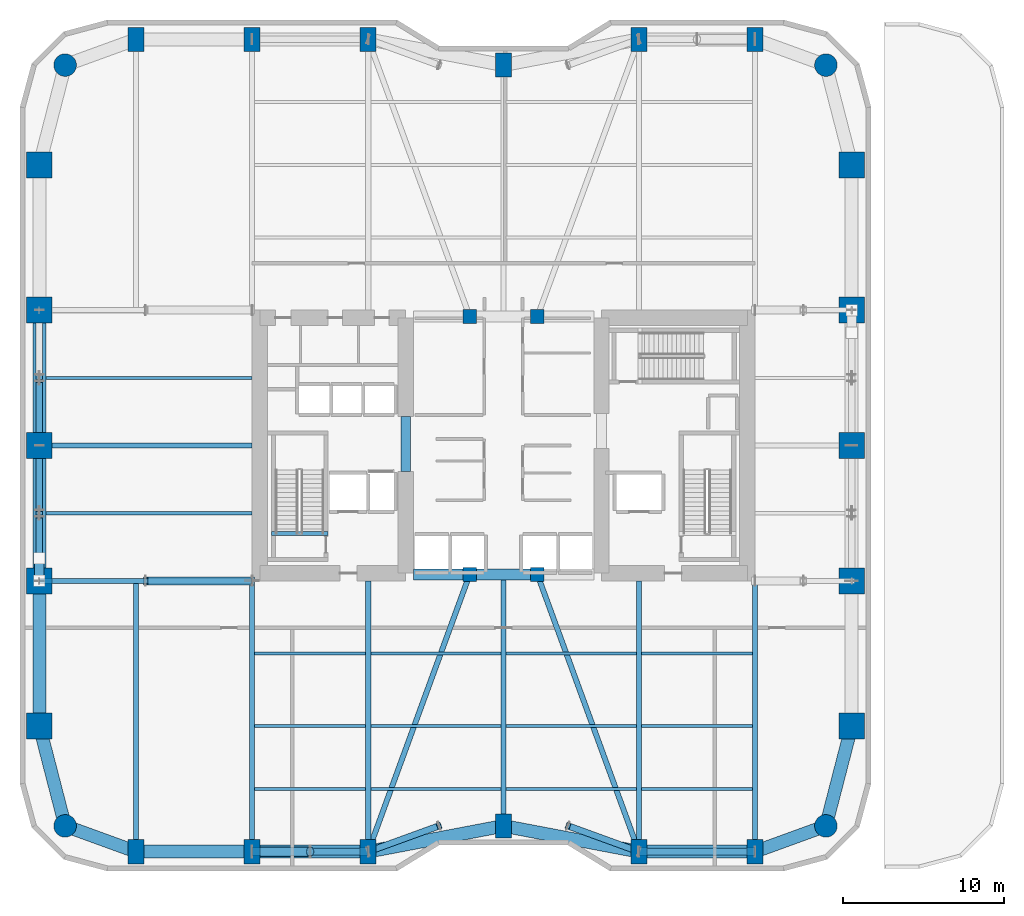
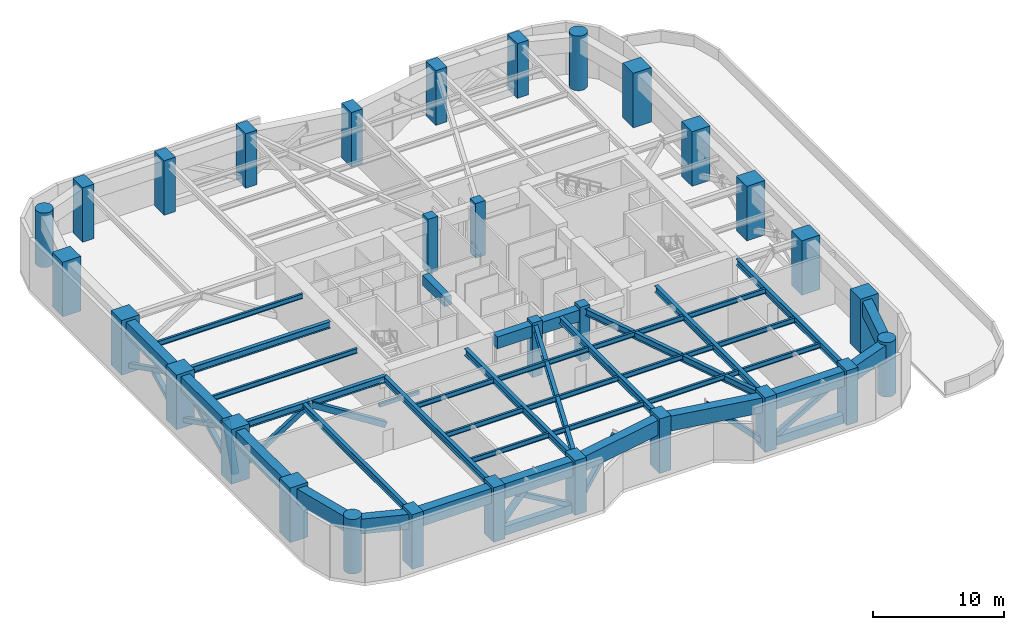
# One storey, part 1 of 16: 40 beams, 30 columns, 15 members.
"""IFC4 building model written with IfcOpenShell, lengths in metres."""

from ifc_helpers import new_model, si_unit, direction, frame, origin, origin_2d, place, context, subcontext, project, spatial, rectangle, hollow_rectangle, circle, hollow_circle, i_section, extrude, material, material_profile, profile_set, type_object, element, save


model = new_model("IFC4")

# Units and contexts
model_context = context("Model", 3, precision=1e-05, world=origin(), true_north=direction((0.0, 1.0)))
body_context = subcontext(model_context, "Body", "Model", "MODEL_VIEW")
ifc_project = project(units=[si_unit("LENGTHUNIT", "METRE"), si_unit("AREAUNIT", "SQUARE_METRE"), si_unit("VOLUMEUNIT", "CUBIC_METRE"), si_unit("PLANEANGLEUNIT", "RADIAN"), si_unit("MASSUNIT", "GRAM", prefix="KILO")], contexts=[model_context])

# Site, building, storey
site_placement = place(None, origin())
site = spatial("IfcSite", under=ifc_project, at=site_placement, CompositionType="ELEMENT")
building_placement = place(site_placement, origin())
building = spatial("IfcBuilding", under=site, at=building_placement, Name="Kiyonajd Concourse Tower", CompositionType="ELEMENT")
storey_placement = place(building_placement, frame((0.0, 0.0, 80.699951171875)))
storey = spatial("IfcBuildingStorey", under=building, at=storey_placement, Name="L21", CompositionType="ELEMENT", Elevation=80.699951171875)

# Columns
ifc_material_1 = material(Name="Concrete C80/95", Category="concrete")
ifc_material_profile_1 = material_profile(ifc_material_1, rectangle(XDim=1.0, YDim=1.5, at=origin_2d()), Name="RC-1500x1000")
ifc_profile_set_1 = profile_set([ifc_material_profile_1], Name="Concrete C80/95")
column_type_1 = type_object("IfcColumnType", Name="CL-BLADE-1500", PredefinedType="COLUMN", material=ifc_profile_set_1)
for number, where, z_axis, x_axis, name in (
    (1, (25.199951171875, 10.800048828125, 0.0), (0.0, 0.0, 1.0), (1.0, 0.0, 0.0), "L21 Perimeter Bundled Tube Column"),
    (2, (25.199951171875, 61.199951171875, 0.0), (0.0, 0.0, 1.0), (1.0, 0.0, 0.0), "L21 Perimeter Bundled Tube Column"),
    (3, (32.39990234375, 10.800048828125, 0.0), (0.0, 0.0, 1.0), (1.0, 0.0, 0.0), "L21 Perimeter Bundled Tube Column"),
    (4, (32.39990234375, 61.199951171875, 0.0), (0.0, 0.0, 1.0), (1.0, 0.0, 0.0), "L21 Perimeter Bundled Tube Column"),
    (5, (39.60009765625, 10.800048828125, 0.0), (0.0, 0.0, 1.0), (1.0, 0.0, 0.0), "L21 Perimeter Bundled Tube Column"),
    (6, (39.60009765625, 61.199951171875, 0.0), (0.0, 0.0, 1.0), (1.0, 0.0, 0.0), "L21 Perimeter Bundled Tube Column"),
    (7, (48.0, 12.39990234375, 0.0), (0.0, 0.0, 1.0), (1.0, 0.0, 0.0), "L21 Perimeter Bundled Tube Column"),
    (8, (48.0, 59.60009765625, 0.0), (0.0, 0.0, 1.0), (1.0, 0.0, 0.0), "L21 Perimeter Bundled Tube Column"),
    (9, (56.39990234375, 10.800048828125, 0.0), (0.0, 0.0, 1.0), (1.0, 0.0, 0.0), "L21 Perimeter Bundled Tube Column"),
    (10, (56.39990234375, 61.199951171875, 0.0), (0.0, 0.0, 1.0), (1.0, 0.0, 0.0), "L21 Perimeter Bundled Tube Column"),
    (11, (63.60009765625, 10.800048828125, 0.0), (0.0, 0.0, 1.0), (1.0, 0.0, 0.0), "L21 Perimeter Bundled Tube Column"),
    (12, (63.60009765625, 61.199951171875, 0.0), (0.0, 0.0, 1.0), (1.0, 0.0, 0.0), "L21 Perimeter Bundled Tube Column"),
):
    element("IfcColumn", number, at=place(storey_placement, frame(where, z_axis=z_axis, x_axis=x_axis)), inside=storey, type_object=column_type_1, Name=name, PredefinedType="COLUMN", context=body_context, shape_type="SweptSolid", body=[
        extrude(rectangle(XDim=1.0, YDim=1.5, at=origin_2d()), origin(), (0.0, 0.0, 1.0), 5.10009765625),
    ])
ifc_material_profile_2 = material_profile(ifc_material_1, circle(Radius=0.699951171875, at=origin_2d()), Name="RCC-D1400")
ifc_profile_set_2 = profile_set([ifc_material_profile_2], Name="Concrete C80/95")
column_type_2 = type_object("IfcColumnType", Name="CL-RND-1400", PredefinedType="COLUMN", material=ifc_profile_set_2)
for number, where, z_axis, x_axis, name in (
    (13, (20.800048828125, 12.39990234375, 0.0), (0.0, 0.0, 1.0), (1.0, 0.0, 0.0), "L21 Bundled Tube Corner Column South West"),
    (14, (68.0, 12.39990234375, 0.0), (0.0, 0.0, 1.0), (1.0, 0.0, 0.0), "L21 Bundled Tube Corner Column South East"),
    (15, (68.0, 59.60009765625, 0.0), (0.0, 0.0, 1.0), (1.0, 0.0, 0.0), "L21 Bundled Tube Corner Column North East"),
    (16, (20.800048828125, 59.60009765625, 0.0), (0.0, 0.0, 1.0), (1.0, 0.0, 0.0), "L21 Bundled Tube Corner Column North West"),
):
    element("IfcColumn", number, at=place(storey_placement, frame(where, z_axis=z_axis, x_axis=x_axis)), inside=storey, type_object=column_type_2, Name=name, PredefinedType="COLUMN", context=body_context, shape_type="SweptSolid", body=[
        extrude(circle(Radius=0.699951171875, at=origin_2d()), origin(), (0.0, 0.0, 1.0), 5.10009765625),
    ])
ifc_material_profile_3 = material_profile(ifc_material_1, rectangle(XDim=1.60009765625, YDim=1.60009765625, at=origin_2d()), Name="RC-1600x1600")
ifc_profile_set_3 = profile_set([ifc_material_profile_3], Name="Concrete C80/95")
column_type_3 = type_object("IfcColumnType", Name="CL-TUBE-1600", PredefinedType="COLUMN", material=ifc_profile_set_3)
for number, where, z_axis, x_axis, name in (
    (17, (19.199951171875, 18.60009765625, 0.0), (0.0, 0.0, 1.0), (1.0, 0.0, 0.0), "L21 Perimeter Bundled Tube Column"),
    (18, (69.60009765625, 18.60009765625, 0.0), (0.0, 0.0, 1.0), (1.0, 0.0, 0.0), "L21 Perimeter Bundled Tube Column"),
    (19, (19.199951171875, 27.60009765625, 0.0), (0.0, 0.0, 1.0), (1.0, 0.0, 0.0), "L21 Perimeter Bundled Tube Column"),
    (20, (69.60009765625, 27.60009765625, 0.0), (0.0, 0.0, 1.0), (1.0, 0.0, 0.0), "L21 Perimeter Bundled Tube Column"),
    (21, (19.199951171875, 36.0, 0.0), (0.0, 0.0, 1.0), (1.0, 0.0, 0.0), "L21 Perimeter Bundled Tube Column"),
    (22, (69.60009765625, 36.0, 0.0), (0.0, 0.0, 1.0), (1.0, 0.0, 0.0), "L21 Perimeter Bundled Tube Column"),
    (23, (19.199951171875, 44.39990234375, 0.0), (0.0, 0.0, 1.0), (1.0, 0.0, 0.0), "L21 Perimeter Bundled Tube Column"),
    (24, (69.60009765625, 44.39990234375, 0.0), (0.0, 0.0, 1.0), (1.0, 0.0, 0.0), "L21 Perimeter Bundled Tube Column"),
    (25, (19.199951171875, 53.39990234375, 0.0), (0.0, 0.0, 1.0), (1.0, 0.0, 0.0), "L21 Perimeter Bundled Tube Column"),
    (26, (69.60009765625, 53.39990234375, 0.0), (0.0, 0.0, 1.0), (1.0, 0.0, 0.0), "L21 Perimeter Bundled Tube Column"),
):
    element("IfcColumn", number, at=place(storey_placement, frame(where, z_axis=z_axis, x_axis=x_axis)), inside=storey, type_object=column_type_3, Name=name, PredefinedType="COLUMN", context=body_context, shape_type="SweptSolid", body=[
        extrude(rectangle(XDim=1.60009765625, YDim=1.60009765625, at=origin_2d()), origin(), (0.0, 0.0, 1.0), 5.10009765625),
    ])
ifc_material_2 = material(Name="Concrete C60/75", Category="concrete")
ifc_material_profile_4 = material_profile(ifc_material_2, rectangle(XDim=0.85009765625, YDim=0.85009765625, at=origin_2d()), Name="RC-850x850")
ifc_profile_set_4 = profile_set([ifc_material_profile_4], Name="Concrete C60/75")
column_type_4 = type_object("IfcColumnType", Name="CL-TUBE-850", PredefinedType="COLUMN", material=ifc_profile_set_4)
for number, where, z_axis, x_axis, name in (
    (27, (45.89990234375, 28.0, 0.0), (0.0, 0.0, 1.0), (1.0, 0.0, 0.0), "L21 Core Tie Column South West"),
    (28, (50.10009765625, 28.0, 0.0), (0.0, 0.0, 1.0), (1.0, 0.0, 0.0), "L21 Core Tie Column South East"),
    (29, (45.89990234375, 44.0, 0.0), (0.0, 0.0, 1.0), (1.0, 0.0, 0.0), "L21 Core Tie Column North West"),
    (30, (50.10009765625, 44.0, 0.0), (0.0, 0.0, 1.0), (1.0, 0.0, 0.0), "L21 Core Tie Column North East"),
):
    element("IfcColumn", number, at=place(storey_placement, frame(where, z_axis=z_axis, x_axis=x_axis)), inside=storey, type_object=column_type_4, Name=name, PredefinedType="COLUMN", context=body_context, shape_type="SweptSolid", body=[
        extrude(rectangle(XDim=0.85009765625, YDim=0.85009765625, at=origin_2d()), origin(), (0.0, 0.0, 1.0), 5.10009765625),
    ])

# Beams
ifc_material_3 = material(Name="Concrete C70/85", Category="concrete")
ifc_material_profile_5 = material_profile(ifc_material_3, rectangle(XDim=0.699951171875, YDim=1.10009765625, at=origin_2d()), Name="RCBM-700x1100")
ifc_profile_set_5 = profile_set([ifc_material_profile_5], Name="Concrete C70/85")
beam_type_1 = type_object("IfcBeamType", Name="BM-COUP-1100", PredefinedType="LINTEL", material=ifc_profile_set_5)
beam_1_placement = place(storey_placement, frame((42.39990234375, 28.0, 4.2900390625), z_axis=(1.0, 0.0, 0.0), x_axis=(0.0, 1.0, 0.0)))
element("IfcBeam", 31, at=beam_1_placement, inside=storey, type_object=beam_type_1, Name="L21 Core Coupling Beam S1", PredefinedType="LINTEL", context=body_context, shape_type="SweptSolid", body=[
    extrude(rectangle(XDim=0.699951171875, YDim=1.10009765625, at=origin_2d()), origin(), (0.0, 0.0, 1.0), 3.5),
])
beam_2_placement = place(storey_placement, frame((45.89990234375, 28.0, 4.2900390625), z_axis=(1.0, 0.0, 0.0), x_axis=(0.0, 1.0, 0.0)))
element("IfcBeam", 32, at=beam_2_placement, inside=storey, type_object=beam_type_1, Name="L21 Core Coupling Beam S2", PredefinedType="LINTEL", context=body_context, shape_type="SweptSolid", body=[
    extrude(rectangle(XDim=0.699951171875, YDim=1.10009765625, at=origin_2d()), origin(), (0.0, 0.0, 1.0), 4.2001953125),
])
ifc_material_profile_6 = material_profile(ifc_material_2, rectangle(XDim=0.60009765625, YDim=0.89990234375, at=origin_2d()), Name="RCBM-600x900")
ifc_profile_set_6 = profile_set([ifc_material_profile_6], Name="Concrete C60/75")
beam_type_2 = type_object("IfcBeamType", Name="BM-COUP-900", PredefinedType="LINTEL", material=ifc_profile_set_6)
beam_3_placement = place(storey_placement, frame((41.925048828125, 34.39990234375, 4.2900390625), z_axis=(0.0, 1.0, 0.0), x_axis=(-1.0, 0.0, 0.0)))
element("IfcBeam", 33, at=beam_3_placement, inside=storey, type_object=beam_type_2, Name="L21 West Core Throat Coupling Lintel", PredefinedType="LINTEL", context=body_context, shape_type="SweptSolid", body=[
    extrude(rectangle(XDim=0.60009765625, YDim=0.89990234375, at=origin_2d()), origin(), (0.0, 0.0, 1.0), 3.400146484375),
])
ifc_material_4 = material(Name="Steel ASTM A992 Grade 50", Category="steel")
ifc_material_profile_7 = material_profile(ifc_material_4, i_section(OverallWidth=0.19189453125, OverallDepth=0.462890625, WebThickness=0.010498046875, FlangeThickness=0.017578125, at=origin_2d()), Name="W460X89")
ifc_profile_set_7 = profile_set([ifc_material_profile_7], Name="Steel ASTM A992 Grade 50")
beam_type_3 = type_object("IfcBeamType", Name="BM-JST-460B", PredefinedType="JOIST", material=ifc_profile_set_7)
beam_4_placement = place(storey_placement, frame((32.5634765625, 14.699951171875, 4.608642578125), z_axis=(1.0, 0.0, 0.0), x_axis=(0.0, 1.0, 0.0)))
element("IfcBeam", 34, at=beam_4_placement, inside=storey, type_object=beam_type_3, Name="L21 Secondary Floor Joist", PredefinedType="JOIST", context=body_context, shape_type="SweptSolid", body=[
    extrude(i_section(OverallWidth=0.19189453125, OverallDepth=0.462890625, WebThickness=0.010498046875, FlangeThickness=0.017578125, at=origin_2d()), origin(), (0.0, 0.0, 1.0), 6.873046875),
])
for number, where, z_axis, x_axis, name in (
    (35, (39.763427734375, 14.699951171875, 4.608642578125), (1.0, 0.0, 0.0), (0.0, 1.0, 0.0), "L21 Secondary Floor Joist"),
    (36, (48.16357421875, 14.699951171875, 4.608642578125), (1.0, 0.0, 0.0), (0.0, 1.0, 0.0), "L21 Secondary Floor Joist"),
):
    element("IfcBeam", number, at=place(storey_placement, frame(where, z_axis=z_axis, x_axis=x_axis)), inside=storey, type_object=beam_type_3, Name=name, PredefinedType="JOIST", context=body_context, shape_type="SweptSolid", body=[
        extrude(i_section(OverallWidth=0.19189453125, OverallDepth=0.462890625, WebThickness=0.010498046875, FlangeThickness=0.017578125, at=origin_2d()), origin(), (0.0, 0.0, 1.0), 8.072998046875),
    ])
for number, where, z_axis, x_axis, name in (
    (37, (56.5634765625, 14.699951171875, 4.608642578125), (1.0, 0.0, 0.0), (0.0, 1.0, 0.0), "L21 Secondary Floor Joist"),
    (38, (32.5634765625, 18.60009765625, 4.608642578125), (1.0, 0.0, 0.0), (0.0, 1.0, 0.0), "L21 Secondary Floor Joist"),
):
    element("IfcBeam", number, at=place(storey_placement, frame(where, z_axis=z_axis, x_axis=x_axis)), inside=storey, type_object=beam_type_3, Name=name, PredefinedType="JOIST", context=body_context, shape_type="SweptSolid", body=[
        extrude(i_section(OverallWidth=0.19189453125, OverallDepth=0.462890625, WebThickness=0.010498046875, FlangeThickness=0.017578125, at=origin_2d()), origin(), (0.0, 0.0, 1.0), 6.873046875),
    ])
for number, where, z_axis, x_axis, name in (
    (39, (39.763427734375, 18.60009765625, 4.608642578125), (1.0, 0.0, 0.0), (0.0, 1.0, 0.0), "L21 Secondary Floor Joist"),
    (40, (48.16357421875, 18.60009765625, 4.608642578125), (1.0, 0.0, 0.0), (0.0, 1.0, 0.0), "L21 Secondary Floor Joist"),
):
    element("IfcBeam", number, at=place(storey_placement, frame(where, z_axis=z_axis, x_axis=x_axis)), inside=storey, type_object=beam_type_3, Name=name, PredefinedType="JOIST", context=body_context, shape_type="SweptSolid", body=[
        extrude(i_section(OverallWidth=0.19189453125, OverallDepth=0.462890625, WebThickness=0.010498046875, FlangeThickness=0.017578125, at=origin_2d()), origin(), (0.0, 0.0, 1.0), 8.072998046875),
    ])
for number, where, z_axis, x_axis, name in (
    (41, (56.5634765625, 18.60009765625, 4.608642578125), (1.0, 0.0, 0.0), (0.0, 1.0, 0.0), "L21 Secondary Floor Joist"),
    (42, (32.5634765625, 23.10009765625, 4.608642578125), (1.0, 0.0, 0.0), (0.0, 1.0, 0.0), "L21 Secondary Floor Joist"),
):
    element("IfcBeam", number, at=place(storey_placement, frame(where, z_axis=z_axis, x_axis=x_axis)), inside=storey, type_object=beam_type_3, Name=name, PredefinedType="JOIST", context=body_context, shape_type="SweptSolid", body=[
        extrude(i_section(OverallWidth=0.19189453125, OverallDepth=0.462890625, WebThickness=0.010498046875, FlangeThickness=0.017578125, at=origin_2d()), origin(), (0.0, 0.0, 1.0), 6.873046875),
    ])
for number, where, z_axis, x_axis, name in (
    (43, (39.763427734375, 23.10009765625, 4.608642578125), (1.0, 0.0, 0.0), (0.0, 1.0, 0.0), "L21 Secondary Floor Joist"),
    (44, (48.16357421875, 23.10009765625, 4.608642578125), (1.0, 0.0, 0.0), (0.0, 1.0, 0.0), "L21 Secondary Floor Joist"),
):
    element("IfcBeam", number, at=place(storey_placement, frame(where, z_axis=z_axis, x_axis=x_axis)), inside=storey, type_object=beam_type_3, Name=name, PredefinedType="JOIST", context=body_context, shape_type="SweptSolid", body=[
        extrude(i_section(OverallWidth=0.19189453125, OverallDepth=0.462890625, WebThickness=0.010498046875, FlangeThickness=0.017578125, at=origin_2d()), origin(), (0.0, 0.0, 1.0), 8.072998046875),
    ])
beam_5_placement = place(storey_placement, frame((56.5634765625, 23.10009765625, 4.608642578125), z_axis=(1.0, 0.0, 0.0), x_axis=(0.0, 1.0, 0.0)))
element("IfcBeam", 45, at=beam_5_placement, inside=storey, type_object=beam_type_3, Name="L21 Secondary Floor Joist", PredefinedType="JOIST", context=body_context, shape_type="SweptSolid", body=[
    extrude(i_section(OverallWidth=0.19189453125, OverallDepth=0.462890625, WebThickness=0.010498046875, FlangeThickness=0.017578125, at=origin_2d()), origin(), (0.0, 0.0, 1.0), 6.873046875),
])
for number, where, z_axis, x_axis, name in (
    (46, (19.60009765625, 31.800048828125, 4.608642578125), (1.0, 0.0, 0.0), (0.0, 1.0, 0.0), "L21 West Secondary Floor Joist"),
    (47, (19.60009765625, 40.199951171875, 4.608642578125), (1.0, 0.0, 0.0), (0.0, 1.0, 0.0), "L21 West Secondary Floor Joist"),
):
    element("IfcBeam", number, at=place(storey_placement, frame(where, z_axis=z_axis, x_axis=x_axis)), inside=storey, type_object=beam_type_3, Name=name, PredefinedType="JOIST", context=body_context, shape_type="SweptSolid", body=[
        extrude(i_section(OverallWidth=0.19189453125, OverallDepth=0.462890625, WebThickness=0.010498046875, FlangeThickness=0.017578125, at=origin_2d()), origin(), (0.0, 0.0, 1.0), 12.7998046875),
    ])
ifc_material_5 = material(Name="Concrete C50/60", Category="concrete")
ifc_material_profile_8 = material_profile(ifc_material_5, rectangle(XDim=0.239990234375, YDim=0.320068359375, at=origin_2d()), Name="RCBM-240x320")
ifc_profile_set_8 = profile_set([ifc_material_profile_8], Name="Concrete C50/60")
beam_type_4 = type_object("IfcBeamType", Name="BM-LNT-250", PredefinedType="LINTEL", material=ifc_profile_set_8)
beam_6_placement = place(storey_placement, frame((33.590087890625, 30.530029296875, -0.159912109375), z_axis=(1.0, 0.0, 0.0), x_axis=(0.0, 1.0, 0.0)))
element("IfcBeam", 48, at=beam_6_placement, inside=storey, type_object=beam_type_4, Name="L21 Stair ST1 Threshold Support Beam", PredefinedType="LINTEL", context=body_context, shape_type="SweptSolid", body=[
    extrude(rectangle(XDim=0.239990234375, YDim=0.320068359375, at=origin_2d()), origin(), (0.0, 0.0, 1.0), 3.52001953125),
])
ifc_material_profile_9 = material_profile(ifc_material_4, i_section(OverallWidth=0.326904296875, OverallDepth=0.6220703125, WebThickness=0.015380859375, FlangeThickness=0.0244140625, at=origin_2d()), Name="W610X195")
ifc_profile_set_9 = profile_set([ifc_material_profile_9], Name="Steel ASTM A992 Grade 50")
beam_type_5 = type_object("IfcBeamType", Name="BM-TWR-610A", PredefinedType="BEAM", material=ifc_profile_set_9)
for number, where, z_axis, x_axis, name in (
    (49, (39.60009765625, 10.800048828125, 4.529052734375), (0.343925269715, 0.938997022813, 0.0), (-0.938997022813, 0.343925269715, 0.0), "L21 Core Tie Girder"),
    (50, (50.10009765625, 28.0, 4.529052734375), (0.343925269715, -0.938997022813, 0.0), (0.938997022813, 0.343925269715, 0.0), "L21 Core Tie Girder"),
):
    element("IfcBeam", number, at=place(storey_placement, frame(where, z_axis=z_axis, x_axis=x_axis)), inside=storey, type_object=beam_type_5, Name=name, PredefinedType="BEAM", context=body_context, shape_type="SweptSolid", body=[
        extrude(i_section(OverallWidth=0.326904296875, OverallDepth=0.6220703125, WebThickness=0.015380859375, FlangeThickness=0.0244140625, at=origin_2d()), origin(), (0.0, 0.0, 1.0), 18.3173828125),
    ])
for number, where, z_axis, x_axis, name in (
    (51, (25.199951171875, 10.800048828125, 4.529052734375), (0.0, 1.0, 0.0), (-1.0, 0.0, 0.0), "L21 South Lease Girder"),
    (52, (32.39990234375, 10.800048828125, 4.529052734375), (0.0, 1.0, 0.0), (-1.0, 0.0, 0.0), "L21 South Lease Girder"),
    (53, (39.60009765625, 10.800048828125, 4.529052734375), (0.0, 1.0, 0.0), (-1.0, 0.0, 0.0), "L21 South Lease Girder"),
    (54, (56.39990234375, 10.800048828125, 4.529052734375), (0.0, 1.0, 0.0), (-1.0, 0.0, 0.0), "L21 South Lease Girder"),
    (55, (63.60009765625, 10.800048828125, 4.529052734375), (0.0, 1.0, 0.0), (-1.0, 0.0, 0.0), "L21 South Lease Girder"),
):
    element("IfcBeam", number, at=place(storey_placement, frame(where, z_axis=z_axis, x_axis=x_axis)), inside=storey, type_object=beam_type_5, Name=name, PredefinedType="BEAM", context=body_context, shape_type="SweptSolid", body=[
        extrude(i_section(OverallWidth=0.326904296875, OverallDepth=0.6220703125, WebThickness=0.015380859375, FlangeThickness=0.0244140625, at=origin_2d()), origin(), (0.0, 0.0, 1.0), 16.800048828125),
    ])
beam_7_placement = place(storey_placement, frame((48.0, 12.39990234375, 4.529052734375), z_axis=(0.0, 1.0, 0.0), x_axis=(-1.0, 0.0, 0.0)))
element("IfcBeam", 56, at=beam_7_placement, inside=storey, type_object=beam_type_5, Name="L21 South Ribbon Girder", PredefinedType="BEAM", context=body_context, shape_type="SweptSolid", body=[
    extrude(i_section(OverallWidth=0.326904296875, OverallDepth=0.6220703125, WebThickness=0.015380859375, FlangeThickness=0.0244140625, at=origin_2d()), origin(), (0.0, 0.0, 1.0), 15.60009765625),
])
for number, where, z_axis, x_axis, name in (
    (57, (19.199951171875, 27.60009765625, 4.529052734375), (1.0, 0.0, 0.0), (0.0, 1.0, 0.0), "L21 West Lease Girder"),
    (58, (19.199951171875, 36.0, 4.529052734375), (1.0, 0.0, 0.0), (0.0, 1.0, 0.0), "L21 West Lease Girder"),
):
    element("IfcBeam", number, at=place(storey_placement, frame(where, z_axis=z_axis, x_axis=x_axis)), inside=storey, type_object=beam_type_5, Name=name, PredefinedType="BEAM", context=body_context, shape_type="SweptSolid", body=[
        extrude(i_section(OverallWidth=0.326904296875, OverallDepth=0.6220703125, WebThickness=0.015380859375, FlangeThickness=0.0244140625, at=origin_2d()), origin(), (0.0, 0.0, 1.0), 13.199951171875),
    ])
ifc_material_profile_10 = material_profile(ifc_material_2, rectangle(XDim=0.800048828125, YDim=1.39990234375, at=origin_2d()), Name="RCBM-800x1400")
ifc_profile_set_10 = profile_set([ifc_material_profile_10], Name="Concrete C60/75")
beam_type_6 = type_object("IfcBeamType", Name="BM-XFER-RC", PredefinedType="BEAM", material=ifc_profile_set_10)
beam_8_placement = place(storey_placement, frame((19.199951171875, 27.60009765625, 4.14013671875), z_axis=(0.0, -1.0, 0.0), x_axis=(1.0, 0.0, 0.0)))
element("IfcBeam", 59, at=beam_8_placement, inside=storey, type_object=beam_type_6, Name="L21 Perimeter Bundled Tube Spandrel", PredefinedType="BEAM", context=body_context, shape_type="SweptSolid", body=[
    extrude(rectangle(XDim=0.800048828125, YDim=1.39990234375, at=origin_2d()), origin(), (0.0, 0.0, 1.0), 9.0),
])
beam_9_placement = place(storey_placement, frame((19.199951171875, 18.60009765625, 4.14013671875), z_axis=(0.249884937687, -0.968275538221, 0.0), x_axis=(0.968275538221, 0.249884937687, 0.0)))
element("IfcBeam", 60, at=beam_9_placement, inside=storey, type_object=beam_type_6, Name="L21 Perimeter Bundled Tube Spandrel", PredefinedType="BEAM", context=body_context, shape_type="SweptSolid", body=[
    extrude(rectangle(XDim=0.800048828125, YDim=1.39990234375, at=origin_2d()), origin(), (0.0, 0.0, 1.0), 6.4033203125),
])
beam_10_placement = place(storey_placement, frame((20.800048828125, 12.39990234375, 4.14013671875), z_axis=(0.939801036019, -0.341722127901, 0.0), x_axis=(0.341722127901, 0.939801036019, 0.0)))
element("IfcBeam", 61, at=beam_10_placement, inside=storey, type_object=beam_type_6, Name="L21 Perimeter Bundled Tube Spandrel", PredefinedType="BEAM", context=body_context, shape_type="SweptSolid", body=[
    extrude(rectangle(XDim=0.800048828125, YDim=1.39990234375, at=origin_2d()), origin(), (0.0, 0.0, 1.0), 4.681640625),
])
beam_11_placement = place(storey_placement, frame((25.199951171875, 10.800048828125, 4.14013671875), z_axis=(1.0, 0.0, 0.0), x_axis=(0.0, 1.0, 0.0)))
element("IfcBeam", 62, at=beam_11_placement, inside=storey, type_object=beam_type_6, Name="L21 Perimeter Bundled Tube Spandrel", PredefinedType="BEAM", context=body_context, shape_type="SweptSolid", body=[
    extrude(rectangle(XDim=0.800048828125, YDim=1.39990234375, at=origin_2d()), origin(), (0.0, 0.0, 1.0), 7.199951171875),
])
beam_12_placement = place(storey_placement, frame((32.39990234375, 10.800048828125, 4.14013671875), z_axis=(1.0, 0.0, 0.0), x_axis=(0.0, 1.0, 0.0)))
element("IfcBeam", 63, at=beam_12_placement, inside=storey, type_object=beam_type_6, Name="L21 Perimeter Bundled Tube Spandrel", PredefinedType="BEAM", context=body_context, shape_type="SweptSolid", body=[
    extrude(rectangle(XDim=0.800048828125, YDim=1.39990234375, at=origin_2d()), origin(), (0.0, 0.0, 1.0), 7.2001953125),
])
for number, where, z_axis, x_axis, name in (
    (64, (39.60009765625, 10.800048828125, 4.14013671875), (0.982341315253, 0.187097675953, 0.0), (-0.187097675953, 0.982341315253, 0.0), "L21 Perimeter Bundled Tube Spandrel"),
    (65, (48.0, 12.39990234375, 4.14013671875), (0.982341315253, -0.187097675953, 0.0), (0.187097675953, 0.982341315253, 0.0), "L21 Perimeter Bundled Tube Spandrel"),
):
    element("IfcBeam", number, at=place(storey_placement, frame(where, z_axis=z_axis, x_axis=x_axis)), inside=storey, type_object=beam_type_6, Name=name, PredefinedType="BEAM", context=body_context, shape_type="SweptSolid", body=[
        extrude(rectangle(XDim=0.800048828125, YDim=1.39990234375, at=origin_2d()), origin(), (0.0, 0.0, 1.0), 8.55078125),
    ])
beam_13_placement = place(storey_placement, frame((56.39990234375, 10.800048828125, 4.14013671875), z_axis=(1.0, 0.0, 0.0), x_axis=(0.0, 1.0, 0.0)))
element("IfcBeam", 66, at=beam_13_placement, inside=storey, type_object=beam_type_6, Name="L21 Perimeter Bundled Tube Spandrel", PredefinedType="BEAM", context=body_context, shape_type="SweptSolid", body=[
    extrude(rectangle(XDim=0.800048828125, YDim=1.39990234375, at=origin_2d()), origin(), (0.0, 0.0, 1.0), 7.2001953125),
])
beam_14_placement = place(storey_placement, frame((63.60009765625, 10.800048828125, 4.14013671875), z_axis=(0.939801036019, 0.341722127901, 0.0), x_axis=(-0.341722127901, 0.939801036019, 0.0)))
element("IfcBeam", 67, at=beam_14_placement, inside=storey, type_object=beam_type_6, Name="L21 Perimeter Bundled Tube Spandrel", PredefinedType="BEAM", context=body_context, shape_type="SweptSolid", body=[
    extrude(rectangle(XDim=0.800048828125, YDim=1.39990234375, at=origin_2d()), origin(), (0.0, 0.0, 1.0), 4.681640625),
])
beam_15_placement = place(storey_placement, frame((68.0, 12.39990234375, 4.14013671875), z_axis=(0.249884937687, 0.968275538221, 0.0), x_axis=(-0.968275538221, 0.249884937687, 0.0)))
element("IfcBeam", 68, at=beam_15_placement, inside=storey, type_object=beam_type_6, Name="L21 Perimeter Bundled Tube Spandrel", PredefinedType="BEAM", context=body_context, shape_type="SweptSolid", body=[
    extrude(rectangle(XDim=0.800048828125, YDim=1.39990234375, at=origin_2d()), origin(), (0.0, 0.0, 1.0), 6.4033203125),
])
for number, where, z_axis, x_axis, name in (
    (69, (19.199951171875, 44.39990234375, 4.14013671875), (0.0, -1.0, 0.0), (1.0, 0.0, 0.0), "L21 Perimeter Bundled Tube Spandrel"),
    (70, (19.199951171875, 36.0, 4.14013671875), (0.0, -1.0, 0.0), (1.0, 0.0, 0.0), "L21 Perimeter Bundled Tube Spandrel"),
):
    element("IfcBeam", number, at=place(storey_placement, frame(where, z_axis=z_axis, x_axis=x_axis)), inside=storey, type_object=beam_type_6, Name=name, PredefinedType="BEAM", context=body_context, shape_type="SweptSolid", body=[
        extrude(rectangle(XDim=0.800048828125, YDim=1.39990234375, at=origin_2d()), origin(), (0.0, 0.0, 1.0), 8.39990234375),
    ])

# Members
ifc_material_6 = material(Name="Steel ASTM A572 Grade 50", Category="steel")
ifc_material_profile_11 = material_profile(ifc_material_6, hollow_rectangle(XDim=0.5, YDim=0.800048828125, WallThickness=0.044921875, at=origin_2d()), Name="BOX-800x500x45")
ifc_profile_set_11 = profile_set([ifc_material_profile_11], Name="Steel ASTM A572 Grade 50")
member_type_1 = type_object("IfcMemberType", Name="MB-BT-CHORD", PredefinedType="CHORD", material=ifc_profile_set_11)
for number, where, z_axis, x_axis, name in (
    (71, (32.39990234375, 10.800048828125, 0.300048828125), (1.0, 0.0, 0.0), (0.0, 1.0, 0.0), "L21 Belt Truss Bottom Chord 01"),
    (72, (56.39990234375, 10.800048828125, 0.300048828125), (1.0, 0.0, 0.0), (0.0, 1.0, 0.0), "L21 Belt Truss Bottom Chord 02"),
):
    element("IfcMember", number, at=place(storey_placement, frame(where, z_axis=z_axis, x_axis=x_axis)), inside=storey, type_object=member_type_1, Name=name, PredefinedType="CHORD", context=body_context, shape_type="SweptSolid", body=[
        extrude(hollow_rectangle(XDim=0.5, YDim=0.800048828125, WallThickness=0.044921875, at=origin_2d()), origin(), (0.0, 0.0, 1.0), 7.2001953125),
    ])
ifc_material_7 = material(Name="Steel ASTM A500 Grade C", Category="steel")
ifc_material_profile_12 = material_profile(ifc_material_7, hollow_rectangle(XDim=0.39990234375, YDim=0.39990234375, WallThickness=0.02001953125, at=origin_2d()), Name="HSS-400x400x20")
ifc_profile_set_12 = profile_set([ifc_material_profile_12], Name="Steel ASTM A500 Grade C")
member_type_2 = type_object("IfcMemberType", Name="MB-BT-DIAG", PredefinedType="BRACE", material=ifc_profile_set_12)
member_1_placement = place(storey_placement, frame((32.39990234375, 10.800048828125, 4.489990234375), z_axis=(0.864309887025, 0.0, -0.502959659607), x_axis=(0.0, 1.0, 0.0)))
element("IfcMember", 73, at=member_1_placement, inside=storey, type_object=member_type_2, Name="L21 Outrigger and Belt Truss Member 09", PredefinedType="BRACE", context=body_context, shape_type="SweptSolid", body=[
    extrude(hollow_rectangle(XDim=0.39990234375, YDim=0.39990234375, WallThickness=0.02001953125, at=origin_2d()), origin(), (0.0, 0.0, 1.0), 8.33056640625),
])
for number, where, z_axis, x_axis, name in (
    (74, (39.60009765625, 10.800048828125, 0.300048828125), (0.700302898396, 0.254637936588, 0.666884826449), (-0.341722127901, 0.939801036019, 0.0), "L21 Outrigger and Belt Truss Member 10"),
    (75, (52.0, 12.39990234375, 4.489990234375), (0.700302898396, -0.254637936588, -0.666884826449), (0.341722127901, 0.939801036019, 0.0), "L21 Outrigger and Belt Truss Member 11"),
):
    element("IfcMember", number, at=place(storey_placement, frame(where, z_axis=z_axis, x_axis=x_axis)), inside=storey, type_object=member_type_2, Name=name, PredefinedType="BRACE", context=body_context, shape_type="SweptSolid", body=[
        extrude(hollow_rectangle(XDim=0.39990234375, YDim=0.39990234375, WallThickness=0.02001953125, at=origin_2d()), origin(), (0.0, 0.0, 1.0), 6.282958984375),
    ])
member_2_placement = place(storey_placement, frame((56.39990234375, 10.800048828125, 0.300048828125), z_axis=(0.864309887025, 0.0, 0.502959659607), x_axis=(0.0, 1.0, 0.0)))
element("IfcMember", 76, at=member_2_placement, inside=storey, type_object=member_type_2, Name="L21 Outrigger and Belt Truss Member 12", PredefinedType="BRACE", context=body_context, shape_type="SweptSolid", body=[
    extrude(hollow_rectangle(XDim=0.39990234375, YDim=0.39990234375, WallThickness=0.02001953125, at=origin_2d()), origin(), (0.0, 0.0, 1.0), 8.33056640625),
])
member_3_placement = place(storey_placement, frame((19.199951171875, 27.60009765625, 4.489990234375), z_axis=(0.0, 0.894853325898, -0.44636030864), x_axis=(-1.0, 0.0, 0.0)))
element("IfcMember", 77, at=member_3_placement, inside=storey, type_object=member_type_2, Name="L21 Belt Truss Continuous X Brace W1", PredefinedType="BRACE", context=body_context, shape_type="SweptSolid", body=[
    extrude(hollow_rectangle(XDim=0.39990234375, YDim=0.39990234375, WallThickness=0.02001953125, at=origin_2d()), origin(), (0.0, 0.0, 1.0), 9.386962890625),
])
for number, where, z_axis, x_axis, name in (
    (78, (19.199951171875, 27.60009765625, 0.300048828125), (0.0, 0.894864349312, 0.446338208459), (-1.0, 0.0, 0.0), "L21 Belt Truss Split X Brace Lower W1"),
    (79, (19.199951171875, 32.005859375, 2.497802734375), (0.0, 0.894864349312, 0.446338208459), (-1.0, 0.0, 0.0), "L21 Belt Truss Split X Brace Upper W1"),
):
    element("IfcMember", number, at=place(storey_placement, frame(where, z_axis=z_axis, x_axis=x_axis)), inside=storey, type_object=member_type_2, Name=name, PredefinedType="BRACE", context=body_context, shape_type="SweptSolid", body=[
        extrude(hollow_rectangle(XDim=0.39990234375, YDim=0.39990234375, WallThickness=0.02001953125, at=origin_2d()), origin(), (0.0, 0.0, 1.0), 4.46337890625),
    ])
member_4_placement = place(storey_placement, frame((19.199951171875, 36.0, 4.489990234375), z_axis=(0.0, 0.894853325898, -0.44636030864), x_axis=(-1.0, 0.0, 0.0)))
element("IfcMember", 80, at=member_4_placement, inside=storey, type_object=member_type_2, Name="L21 Belt Truss Continuous X Brace W2", PredefinedType="BRACE", context=body_context, shape_type="SweptSolid", body=[
    extrude(hollow_rectangle(XDim=0.39990234375, YDim=0.39990234375, WallThickness=0.02001953125, at=origin_2d()), origin(), (0.0, 0.0, 1.0), 9.386962890625),
])
member_5_placement = place(storey_placement, frame((19.199951171875, 36.0, 0.300048828125), z_axis=(0.0, 0.894864349312, 0.446338208459), x_axis=(-1.0, 0.0, 0.0)))
element("IfcMember", 81, at=member_5_placement, inside=storey, type_object=member_type_2, Name="L21 Belt Truss Split X Brace Lower W2", PredefinedType="BRACE", context=body_context, shape_type="SweptSolid", body=[
    extrude(hollow_rectangle(XDim=0.39990234375, YDim=0.39990234375, WallThickness=0.02001953125, at=origin_2d()), origin(), (0.0, 0.0, 1.0), 4.46337890625),
])
ifc_material_profile_13 = material_profile(ifc_material_7, hollow_rectangle(XDim=0.300048828125, YDim=0.449951171875, WallThickness=0.02197265625, at=origin_2d()), Name="HSS-450x300x22")
ifc_profile_set_13 = profile_set([ifc_material_profile_13], Name="Steel ASTM A500 Grade C")
member_type_3 = type_object("IfcMemberType", Name="MB-OT-DIAG", PredefinedType="BRACE", material=ifc_profile_set_13)
member_6_placement = place(storey_placement, frame((25.800048828125, 27.60009765625, 4.489990234375), z_axis=(-0.844247356721, 0.0, -0.535953729971), x_axis=(0.0, -1.0, 0.0)))
element("IfcMember", 82, at=member_6_placement, inside=storey, type_object=member_type_3, Name="L21 Outrigger and Belt Truss Member 02", PredefinedType="BRACE", context=body_context, shape_type="SweptSolid", body=[
    extrude(hollow_rectangle(XDim=0.300048828125, YDim=0.449951171875, WallThickness=0.02197265625, at=origin_2d()), origin(), (0.0, 0.0, 1.0), 7.817626953125),
])
ifc_material_profile_14 = material_profile(ifc_material_6, hollow_rectangle(XDim=0.5, YDim=0.5, WallThickness=0.02490234375, at=origin_2d()), Name="HSS-500x500x25")
ifc_profile_set_14 = profile_set([ifc_material_profile_14], Name="Steel ASTM A572 Grade 50")
member_type_4 = type_object("IfcMemberType", Name="MB-OT-STRUT", PredefinedType="STRUT", material=ifc_profile_set_14)
member_7_placement = place(storey_placement, frame((32.39990234375, 27.60009765625, 0.300048828125), z_axis=(-0.844238385921, 0.0, 0.535967860732), x_axis=(0.0, -1.0, 0.0)))
element("IfcMember", 83, at=member_7_placement, inside=storey, type_object=member_type_4, Name="L21 Outrigger and Belt Truss Member 01", PredefinedType="STRUT", context=body_context, shape_type="SweptSolid", body=[
    extrude(hollow_rectangle(XDim=0.5, YDim=0.5, WallThickness=0.02490234375, at=origin_2d()), origin(), (0.0, 0.0, 1.0), 7.817626953125),
])
ifc_material_profile_15 = material_profile(ifc_material_6, hollow_circle(Radius=0.304931640625, WallThickness=0.02490234375, at=origin_2d()), Name="CHS-610x25")
ifc_profile_set_15 = profile_set([ifc_material_profile_15], Name="Steel ASTM A572 Grade 50")
member_type_5 = type_object("IfcMemberType", Name="MB-PB-LOW", PredefinedType="BRACE", material=ifc_profile_set_15)
member_8_placement = place(storey_placement, frame((32.39990234375, 10.800048828125, 0.300048828125), z_axis=(0.651700805052, 0.0, 0.758476143788), x_axis=(0.0, 1.0, 0.0)))
element("IfcMember", 84, at=member_8_placement, inside=storey, type_object=member_type_5, Name="L21 Lower Zone Welded Tube Brace PBS", PredefinedType="BRACE", context=body_context, shape_type="SweptSolid", body=[
    extrude(hollow_circle(Radius=0.304931640625, WallThickness=0.02490234375, at=origin_2d()), origin(), (0.0, 0.0, 1.0), 5.524169921875),
])
member_9_placement = place(storey_placement, frame((19.199951171875, 27.60009765625, 0.300048828125), z_axis=(0.0, 0.316890871599, 0.9484620053), x_axis=(-1.0, 0.0, 0.0)))
element("IfcMember", 85, at=member_9_placement, inside=storey, type_object=member_type_5, Name="L21 Lower Zone Welded Tube Brace PBW", PredefinedType="BRACE", context=body_context, shape_type="SweptSolid", body=[
    extrude(hollow_circle(Radius=0.304931640625, WallThickness=0.02490234375, at=origin_2d()), origin(), (0.0, 0.0, 1.0), 4.417724609375),
])

save(model, "model.ifc")
